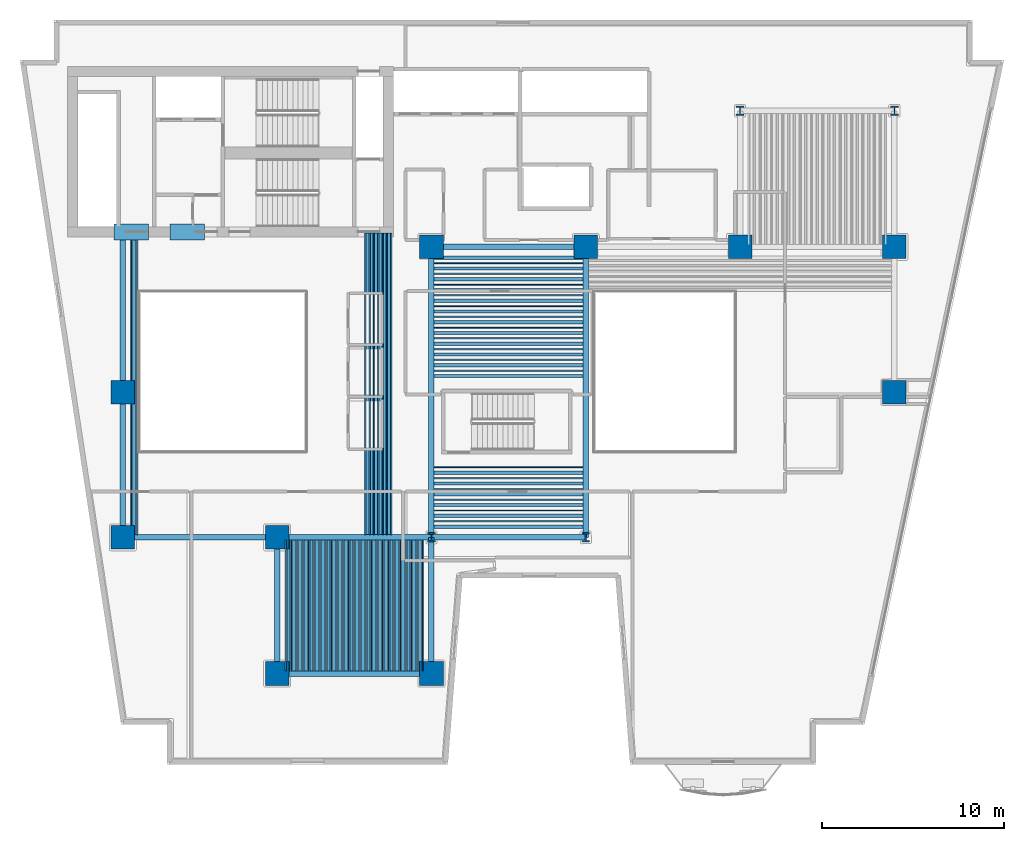
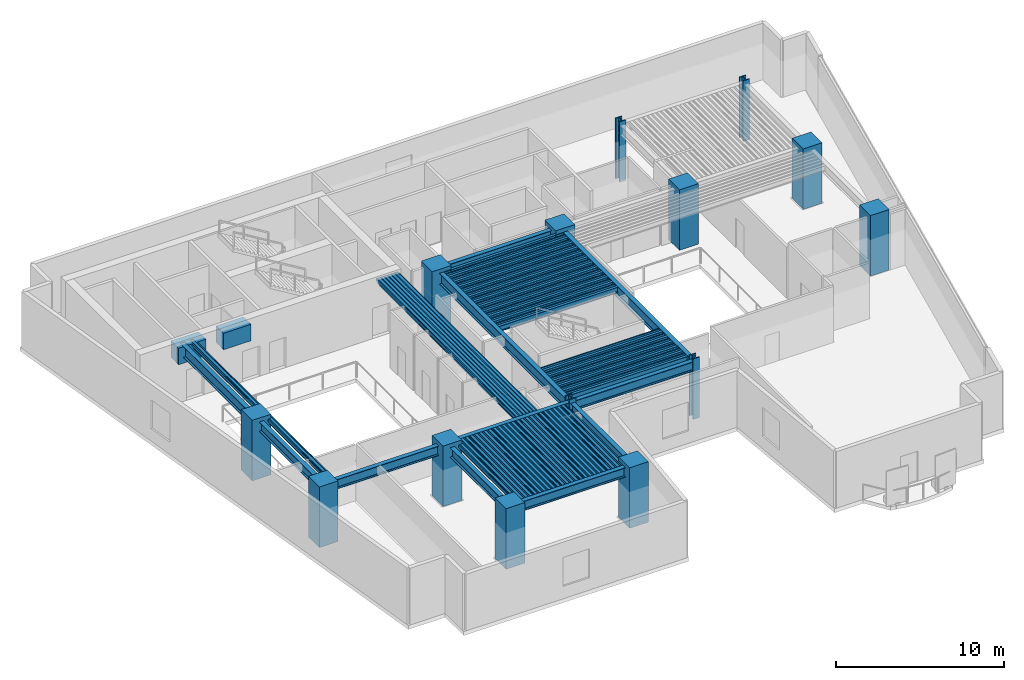
# One storey, part 1 of 12: 113 beams, 14 columns.
"""IFC4 building model written with IfcOpenShell, lengths in metres."""

from ifc_helpers import new_model, si_unit, direction, frame, origin, origin_2d, place, context, subcontext, project, spatial, rectangle, hollow_rectangle, i_section, extrude, material, material_profile, profile_set, type_object, element, save


model = new_model("IFC4")

# Units and contexts
model_context = context("Model", 3, precision=1e-05, world=origin(), true_north=direction((0.0, 1.0)))
body_context = subcontext(model_context, "Body", "Model", "MODEL_VIEW")
ifc_project = project(units=[si_unit("LENGTHUNIT", "METRE"), si_unit("AREAUNIT", "SQUARE_METRE"), si_unit("VOLUMEUNIT", "CUBIC_METRE"), si_unit("PLANEANGLEUNIT", "RADIAN"), si_unit("MASSUNIT", "GRAM", prefix="KILO")], contexts=[model_context])

# Site, building, storey
site_placement = place(None, origin())
site = spatial("IfcSite", under=ifc_project, at=site_placement, CompositionType="ELEMENT")
building_placement = place(site_placement, origin())
building = spatial("IfcBuilding", under=site, at=building_placement, Name="Caeloran Harvest Quay", CompositionType="ELEMENT")
storey_placement = place(building_placement, frame((0.0, 0.0, 93.0)))
storey = spatial("IfcBuildingStorey", under=building, at=storey_placement, Name="L21", CompositionType="ELEMENT", Elevation=93.0)

# Columns
ifc_material_1 = material(Name="Concrete C80/95", Category="concrete")
ifc_material_profile_1 = material_profile(ifc_material_1, rectangle(XDim=1.300048828125, YDim=1.300048828125, at=origin_2d()), Name="RC 1300x1300")
ifc_profile_set_1 = profile_set([ifc_material_profile_1], Name="Concrete C80/95")
column_type_1 = type_object("IfcColumnType", Name="COL-MC-2-RC_1300x1300", PredefinedType="COLUMN", material=ifc_profile_set_1)
for number, where, z_axis, x_axis, name in (
    (1, (8.5, 15.0, 0.0), (0.0, 0.0, 1.0), (1.0, 0.0, 0.0), "L21 Structural Column (8.5, 15.0)"),
    (2, (8.5, 23.0, 0.0), (0.0, 0.0, 1.0), (1.0, 0.0, 0.0), "L21 Structural Column (8.5, 23.0)"),
    (3, (17.0, 7.5, 0.0), (0.0, 0.0, 1.0), (1.0, 0.0, 0.0), "L21 Structural Column (17.0, 7.5)"),
    (4, (17.0, 15.0, 0.0), (0.0, 0.0, 1.0), (1.0, 0.0, 0.0), "L21 Structural Column (17.0, 15.0)"),
    (5, (25.5, 7.5, 0.0), (0.0, 0.0, 1.0), (1.0, 0.0, 0.0), "L21 Structural Column (25.5, 7.5)"),
    (6, (25.5, 31.0, 0.0), (0.0, 0.0, 1.0), (1.0, 0.0, 0.0), "L21 Structural Column (25.5, 31.0)"),
    (7, (34.0, 31.0, 0.0), (0.0, 0.0, 1.0), (1.0, 0.0, 0.0), "L21 Structural Column (34.0, 31.0)"),
    (8, (42.5, 31.0, 0.0), (0.0, 0.0, 1.0), (1.0, 0.0, 0.0), "L21 Structural Column (42.5, 31.0)"),
    (9, (51.0, 23.0, 0.0), (0.0, 0.0, 1.0), (1.0, 0.0, 0.0), "L21 Structural Column (51.0, 23.0)"),
    (10, (51.0, 31.0, 0.0), (0.0, 0.0, 1.0), (1.0, 0.0, 0.0), "L21 Structural Column (51.0, 31.0)"),
):
    element("IfcColumn", number, at=place(storey_placement, frame(where, z_axis=z_axis, x_axis=x_axis)), inside=storey, type_object=column_type_1, Name=name, PredefinedType="COLUMN", context=body_context, shape_type="SweptSolid", body=[
        extrude(rectangle(XDim=1.300048828125, YDim=1.300048828125, at=origin_2d()), origin(), (0.0, 0.0, 1.0), 4.39990234375),
    ])
ifc_material_2 = material(Name="Steel HISTAR 460", Category="steel")
ifc_material_profile_2 = material_profile(ifc_material_2, i_section(OverallWidth=0.43701171875, OverallDepth=0.513916015625, WebThickness=0.060546875, FlangeThickness=0.076904296875, FilletRadius=0.014892578125, at=origin_2d()), Name="HD 400x818")
ifc_profile_set_2 = profile_set([ifc_material_profile_2], Name="Steel HISTAR 460")
column_type_2 = type_object("IfcColumnType", Name="COL-SC-2-HD_400x818", PredefinedType="COLUMN", material=ifc_profile_set_2)
for number, where, z_axis, x_axis, name in (
    (11, (25.5, 15.0, 0.0), (0.0, 0.0, 1.0), (1.0, 0.0, 0.0), "L21 Structural Column (25.5, 15.0)"),
    (12, (34.0, 15.0, 0.0), (0.0, 0.0, 1.0), (1.0, 0.0, 0.0), "L21 Structural Column (34.0, 15.0)"),
    (13, (42.5, 38.5, 0.0), (0.0, 0.0, 1.0), (1.0, 0.0, 0.0), "L21 Structural Column (42.5, 38.5)"),
    (14, (51.0, 38.5, 0.0), (0.0, 0.0, 1.0), (1.0, 0.0, 0.0), "L21 Structural Column (51.0, 38.5)"),
):
    element("IfcColumn", number, at=place(storey_placement, frame(where, z_axis=z_axis, x_axis=x_axis)), inside=storey, type_object=column_type_2, Name=name, PredefinedType="COLUMN", context=body_context, shape_type="SweptSolid", body=[
        extrude(i_section(OverallWidth=0.43701171875, OverallDepth=0.513916015625, WebThickness=0.060546875, FlangeThickness=0.076904296875, FilletRadius=0.014892578125, at=origin_2d()), origin(), (0.0, 0.0, 1.0), 4.39990234375),
    ])

# Beams
ifc_material_profile_3 = material_profile(ifc_material_1, rectangle(XDim=0.89990234375, YDim=1.199951171875, at=origin_2d()), Name="RC 900x1200")
ifc_profile_set_3 = profile_set([ifc_material_profile_3], Name="Concrete C80/95")
beam_type_1 = type_object("IfcBeamType", Name="BM-CB-1-RC_900x1200", PredefinedType="LINTEL", material=ifc_profile_set_3)
for number, where, z_axis, x_axis, name in (
    (15, (8.0, 31.824951171875, 3.514892578125), (1.0, 0.0, 0.0), (0.0, 1.0, 0.0), "L21 Core Coupling Beam 1"),
    (16, (11.10009765625, 31.824951171875, 3.514892578125), (1.0, 0.0, 0.0), (0.0, 1.0, 0.0), "L21 Core Coupling Beam 2"),
):
    element("IfcBeam", number, at=place(storey_placement, frame(where, z_axis=z_axis, x_axis=x_axis)), inside=storey, type_object=beam_type_1, Name=name, PredefinedType="LINTEL", context=body_context, shape_type="SweptSolid", body=[
        extrude(rectangle(XDim=0.89990234375, YDim=1.199951171875, at=origin_2d()), origin(), (0.0, 0.0, 1.0), 1.89990234375),
    ])
ifc_material_3 = material(Name="Steel S355J2", Category="steel")
ifc_material_profile_4 = material_profile(ifc_material_3, i_section(OverallWidth=0.300048828125, OverallDepth=0.800048828125, WebThickness=0.017578125, FlangeThickness=0.032958984375, FilletRadius=0.030029296875, at=origin_2d()), Name="HE 800 B")
ifc_profile_set_4 = profile_set([ifc_material_profile_4], Name="Steel S355J2")
beam_type_2 = type_object("IfcBeamType", Name="BM-PG-1-HE_800_B", PredefinedType="BEAM", material=ifc_profile_set_4)
beam_1_placement = place(storey_placement, frame((8.5, 23.0, 3.715087890625), z_axis=(0.0, 1.0, 0.0), x_axis=(-1.0, 0.0, 0.0)))
element("IfcBeam", 17, at=beam_1_placement, inside=storey, type_object=beam_type_2, Name="L21 Core South Tie Girder X=8.5", PredefinedType="BEAM", context=body_context, shape_type="SweptSolid", body=[
    extrude(i_section(OverallWidth=0.300048828125, OverallDepth=0.800048828125, WebThickness=0.017578125, FlangeThickness=0.032958984375, FilletRadius=0.030029296875, at=origin_2d()), origin(), (0.0, 0.0, 1.0), 8.77490234375),
])
for number, where, z_axis, x_axis, name in (
    (18, (25.5, 15.0, 3.715087890625), (0.0, 1.0, 0.0), (-1.0, 0.0, 0.0), "L21 Primary North-South Girder X=25.5"),
    (19, (34.0, 15.0, 3.715087890625), (0.0, 1.0, 0.0), (-1.0, 0.0, 0.0), "L21 Primary North-South Girder X=34.0"),
):
    element("IfcBeam", number, at=place(storey_placement, frame(where, z_axis=z_axis, x_axis=x_axis)), inside=storey, type_object=beam_type_2, Name=name, PredefinedType="BEAM", context=body_context, shape_type="SweptSolid", body=[
        extrude(i_section(OverallWidth=0.300048828125, OverallDepth=0.800048828125, WebThickness=0.017578125, FlangeThickness=0.032958984375, FilletRadius=0.030029296875, at=origin_2d()), origin(), (0.0, 0.0, 1.0), 16.0),
    ])
ifc_material_profile_5 = material_profile(ifc_material_3, i_section(OverallWidth=0.300048828125, OverallDepth=0.699951171875, WebThickness=0.01708984375, FlangeThickness=0.031982421875, FilletRadius=0.027099609375, at=origin_2d()), Name="HE 700 B")
ifc_profile_set_5 = profile_set([ifc_material_profile_5], Name="Steel S355J2")
beam_type_3 = type_object("IfcBeamType", Name="BM-PG-2-HE_700_B", PredefinedType="BEAM", material=ifc_profile_set_5)
for number, where, z_axis, x_axis, name in (
    (20, (17.0, 7.5, 3.764892578125), (1.0, 0.0, 0.0), (0.0, 1.0, 0.0), "L21 Primary East-West Girder Y=7.5"),
    (21, (8.5, 15.0, 3.764892578125), (1.0, 0.0, 0.0), (0.0, 1.0, 0.0), "L21 Primary East-West Girder Y=15.0"),
    (22, (17.0, 15.0, 3.764892578125), (1.0, 0.0, 0.0), (0.0, 1.0, 0.0), "L21 Primary East-West Girder Y=15.0"),
    (23, (25.5, 15.0, 3.764892578125), (1.0, 0.0, 0.0), (0.0, 1.0, 0.0), "L21 Primary East-West Girder Y=15.0"),
    (24, (25.5, 31.0, 3.764892578125), (1.0, 0.0, 0.0), (0.0, 1.0, 0.0), "L21 Primary East-West Girder Y=31.0"),
):
    element("IfcBeam", number, at=place(storey_placement, frame(where, z_axis=z_axis, x_axis=x_axis)), inside=storey, type_object=beam_type_3, Name=name, PredefinedType="BEAM", context=body_context, shape_type="SweptSolid", body=[
        extrude(i_section(OverallWidth=0.300048828125, OverallDepth=0.699951171875, WebThickness=0.01708984375, FlangeThickness=0.031982421875, FilletRadius=0.027099609375, at=origin_2d()), origin(), (0.0, 0.0, 1.0), 8.5),
    ])
beam_2_placement = place(storey_placement, frame((8.5, 15.0, 3.764892578125), z_axis=(0.0, 1.0, 0.0), x_axis=(-1.0, 0.0, 0.0)))
element("IfcBeam", 25, at=beam_2_placement, inside=storey, type_object=beam_type_3, Name="L21 Primary North-South Girder X=8.5", PredefinedType="BEAM", context=body_context, shape_type="SweptSolid", body=[
    extrude(i_section(OverallWidth=0.300048828125, OverallDepth=0.699951171875, WebThickness=0.01708984375, FlangeThickness=0.031982421875, FilletRadius=0.027099609375, at=origin_2d()), origin(), (0.0, 0.0, 1.0), 8.0),
])
for number, where, z_axis, x_axis, name in (
    (26, (17.0, 7.5, 3.764892578125), (0.0, 1.0, 0.0), (-1.0, 0.0, 0.0), "L21 Primary North-South Girder X=17.0"),
    (27, (25.5, 7.5, 3.764892578125), (0.0, 1.0, 0.0), (-1.0, 0.0, 0.0), "L21 Primary North-South Girder X=25.5"),
):
    element("IfcBeam", number, at=place(storey_placement, frame(where, z_axis=z_axis, x_axis=x_axis)), inside=storey, type_object=beam_type_3, Name=name, PredefinedType="BEAM", context=body_context, shape_type="SweptSolid", body=[
        extrude(i_section(OverallWidth=0.300048828125, OverallDepth=0.699951171875, WebThickness=0.01708984375, FlangeThickness=0.031982421875, FilletRadius=0.027099609375, at=origin_2d()), origin(), (0.0, 0.0, 1.0), 7.5),
    ])
ifc_material_profile_6 = material_profile(ifc_material_3, i_section(OverallWidth=0.179931640625, OverallDepth=0.39990234375, WebThickness=0.008544921875, FlangeThickness=0.013427734375, FilletRadius=0.02099609375, at=origin_2d()), Name="IPE 400")
ifc_profile_set_6 = profile_set([ifc_material_profile_6], Name="Steel S355J2")
beam_type_4 = type_object("IfcBeamType", Name="BM-SB-4-IPE_400", PredefinedType="JOIST", material=ifc_profile_set_6)
for number, where, z_axis, x_axis, name in (
    (28, (17.629638671875, 7.64501953125, 3.9150390625), (0.0, 1.0, 0.0), (-1.0, 0.0, 0.0), "L21 Secondary Composite Joist"),
    (29, (17.9443359375, 7.64501953125, 3.9150390625), (0.0, 1.0, 0.0), (-1.0, 0.0, 0.0), "L21 Secondary Composite Joist"),
    (30, (18.25927734375, 7.64501953125, 3.9150390625), (0.0, 1.0, 0.0), (-1.0, 0.0, 0.0), "L21 Secondary Composite Joist"),
    (31, (18.57421875, 7.64501953125, 3.9150390625), (0.0, 1.0, 0.0), (-1.0, 0.0, 0.0), "L21 Secondary Composite Joist"),
    (32, (18.888916015625, 7.64501953125, 3.9150390625), (0.0, 1.0, 0.0), (-1.0, 0.0, 0.0), "L21 Secondary Composite Joist"),
    (33, (19.20361328125, 7.64501953125, 3.9150390625), (0.0, 1.0, 0.0), (-1.0, 0.0, 0.0), "L21 Secondary Composite Joist"),
    (34, (19.5185546875, 7.64501953125, 3.9150390625), (0.0, 1.0, 0.0), (-1.0, 0.0, 0.0), "L21 Secondary Composite Joist"),
    (35, (19.833251953125, 7.64501953125, 3.9150390625), (0.0, 1.0, 0.0), (-1.0, 0.0, 0.0), "L21 Secondary Composite Joist"),
    (36, (20.148193359375, 7.64501953125, 3.9150390625), (0.0, 1.0, 0.0), (-1.0, 0.0, 0.0), "L21 Secondary Composite Joist"),
    (37, (20.462890625, 7.64501953125, 3.9150390625), (0.0, 1.0, 0.0), (-1.0, 0.0, 0.0), "L21 Secondary Composite Joist"),
    (38, (20.77783203125, 7.64501953125, 3.9150390625), (0.0, 1.0, 0.0), (-1.0, 0.0, 0.0), "L21 Secondary Composite Joist"),
    (39, (21.092529296875, 7.64501953125, 3.9150390625), (0.0, 1.0, 0.0), (-1.0, 0.0, 0.0), "L21 Secondary Composite Joist"),
    (40, (21.407470703125, 7.64501953125, 3.9150390625), (0.0, 1.0, 0.0), (-1.0, 0.0, 0.0), "L21 Secondary Composite Joist"),
    (41, (21.72216796875, 7.64501953125, 3.9150390625), (0.0, 1.0, 0.0), (-1.0, 0.0, 0.0), "L21 Secondary Composite Joist"),
    (42, (22.037109375, 7.64501953125, 3.9150390625), (0.0, 1.0, 0.0), (-1.0, 0.0, 0.0), "L21 Secondary Composite Joist"),
    (43, (22.351806640625, 7.64501953125, 3.9150390625), (0.0, 1.0, 0.0), (-1.0, 0.0, 0.0), "L21 Secondary Composite Joist"),
    (44, (22.666748046875, 7.64501953125, 3.9150390625), (0.0, 1.0, 0.0), (-1.0, 0.0, 0.0), "L21 Secondary Composite Joist"),
    (45, (22.9814453125, 7.64501953125, 3.9150390625), (0.0, 1.0, 0.0), (-1.0, 0.0, 0.0), "L21 Secondary Composite Joist"),
    (46, (23.29638671875, 7.64501953125, 3.9150390625), (0.0, 1.0, 0.0), (-1.0, 0.0, 0.0), "L21 Secondary Composite Joist"),
    (47, (23.611083984375, 7.64501953125, 3.9150390625), (0.0, 1.0, 0.0), (-1.0, 0.0, 0.0), "L21 Secondary Composite Joist"),
    (48, (23.92578125, 7.64501953125, 3.9150390625), (0.0, 1.0, 0.0), (-1.0, 0.0, 0.0), "L21 Secondary Composite Joist"),
    (49, (24.24072265625, 7.64501953125, 3.9150390625), (0.0, 1.0, 0.0), (-1.0, 0.0, 0.0), "L21 Secondary Composite Joist"),
    (50, (24.5556640625, 7.64501953125, 3.9150390625), (0.0, 1.0, 0.0), (-1.0, 0.0, 0.0), "L21 Secondary Composite Joist"),
    (51, (24.870361328125, 7.64501953125, 3.9150390625), (0.0, 1.0, 0.0), (-1.0, 0.0, 0.0), "L21 Secondary Composite Joist"),
):
    element("IfcBeam", number, at=place(storey_placement, frame(where, z_axis=z_axis, x_axis=x_axis)), inside=storey, type_object=beam_type_4, Name=name, PredefinedType="JOIST", context=body_context, shape_type="SweptSolid", body=[
        extrude(i_section(OverallWidth=0.179931640625, OverallDepth=0.39990234375, WebThickness=0.008544921875, FlangeThickness=0.013427734375, FilletRadius=0.02099609375, at=origin_2d()), origin(), (0.0, 0.0, 1.0), 7.2099609375),
    ])
for number, where, z_axis, x_axis, name in (
    (52, (9.129638671875, 15.14501953125, 3.9150390625), (0.0, 1.0, 0.0), (-1.0, 0.0, 0.0), "L21 Secondary Composite Joist"),
    (53, (21.977783203125, 15.14501953125, 3.9150390625), (0.0, 1.0, 0.0), (-1.0, 0.0, 0.0), "L21 Secondary Composite Joist"),
    (54, (22.21484375, 15.14501953125, 3.9150390625), (0.0, 1.0, 0.0), (-1.0, 0.0, 0.0), "L21 Secondary Composite Joist"),
    (55, (22.451904296875, 15.14501953125, 3.9150390625), (0.0, 1.0, 0.0), (-1.0, 0.0, 0.0), "L21 Secondary Composite Joist"),
    (56, (22.68896484375, 15.14501953125, 3.9150390625), (0.0, 1.0, 0.0), (-1.0, 0.0, 0.0), "L21 Secondary Composite Joist"),
    (57, (22.92578125, 15.14501953125, 3.9150390625), (0.0, 1.0, 0.0), (-1.0, 0.0, 0.0), "L21 Secondary Composite Joist"),
    (58, (23.1630859375, 15.14501953125, 3.9150390625), (0.0, 1.0, 0.0), (-1.0, 0.0, 0.0), "L21 Secondary Composite Joist"),
):
    element("IfcBeam", number, at=place(storey_placement, frame(where, z_axis=z_axis, x_axis=x_axis)), inside=storey, type_object=beam_type_4, Name=name, PredefinedType="JOIST", context=body_context, shape_type="SweptSolid", body=[
        extrude(i_section(OverallWidth=0.179931640625, OverallDepth=0.39990234375, WebThickness=0.008544921875, FlangeThickness=0.013427734375, FilletRadius=0.02099609375, at=origin_2d()), origin(), (0.0, 0.0, 1.0), 16.6298828125),
    ])
for number, where, z_axis, x_axis, name in (
    (59, (25.64501953125, 15.592529296875, 3.9150390625), (1.0, 0.0, 0.0), (0.0, 1.0, 0.0), "L21 Secondary East-West Composite Joist"),
    (60, (25.64501953125, 16.185302734375, 3.9150390625), (1.0, 0.0, 0.0), (0.0, 1.0, 0.0), "L21 Secondary East-West Composite Joist"),
    (61, (25.64501953125, 16.77783203125, 3.9150390625), (1.0, 0.0, 0.0), (0.0, 1.0, 0.0), "L21 Secondary East-West Composite Joist"),
    (62, (25.64501953125, 17.370361328125, 3.9150390625), (1.0, 0.0, 0.0), (0.0, 1.0, 0.0), "L21 Secondary East-West Composite Joist"),
    (63, (25.64501953125, 17.962890625, 3.9150390625), (1.0, 0.0, 0.0), (0.0, 1.0, 0.0), "L21 Secondary East-West Composite Joist"),
    (64, (25.64501953125, 18.5556640625, 3.9150390625), (1.0, 0.0, 0.0), (0.0, 1.0, 0.0), "L21 Secondary East-West Composite Joist"),
    (65, (25.64501953125, 23.888916015625, 3.9150390625), (1.0, 0.0, 0.0), (0.0, 1.0, 0.0), "L21 Secondary East-West Composite Joist"),
    (66, (25.64501953125, 24.4814453125, 3.9150390625), (1.0, 0.0, 0.0), (0.0, 1.0, 0.0), "L21 Secondary East-West Composite Joist"),
    (67, (25.64501953125, 25.07421875, 3.9150390625), (1.0, 0.0, 0.0), (0.0, 1.0, 0.0), "L21 Secondary East-West Composite Joist"),
    (68, (25.64501953125, 25.666748046875, 3.9150390625), (1.0, 0.0, 0.0), (0.0, 1.0, 0.0), "L21 Secondary East-West Composite Joist"),
    (69, (25.64501953125, 26.25927734375, 3.9150390625), (1.0, 0.0, 0.0), (0.0, 1.0, 0.0), "L21 Secondary East-West Composite Joist"),
    (70, (25.64501953125, 26.851806640625, 3.9150390625), (1.0, 0.0, 0.0), (0.0, 1.0, 0.0), "L21 Secondary East-West Composite Joist"),
    (71, (25.64501953125, 27.4443359375, 3.9150390625), (1.0, 0.0, 0.0), (0.0, 1.0, 0.0), "L21 Secondary East-West Composite Joist"),
    (72, (25.64501953125, 28.037109375, 3.9150390625), (1.0, 0.0, 0.0), (0.0, 1.0, 0.0), "L21 Secondary East-West Composite Joist"),
    (73, (25.64501953125, 28.629638671875, 3.9150390625), (1.0, 0.0, 0.0), (0.0, 1.0, 0.0), "L21 Secondary East-West Composite Joist"),
    (74, (25.64501953125, 29.22216796875, 3.9150390625), (1.0, 0.0, 0.0), (0.0, 1.0, 0.0), "L21 Secondary East-West Composite Joist"),
    (75, (25.64501953125, 29.814697265625, 3.9150390625), (1.0, 0.0, 0.0), (0.0, 1.0, 0.0), "L21 Secondary East-West Composite Joist"),
    (76, (25.64501953125, 30.407470703125, 3.9150390625), (1.0, 0.0, 0.0), (0.0, 1.0, 0.0), "L21 Secondary East-West Composite Joist"),
):
    element("IfcBeam", number, at=place(storey_placement, frame(where, z_axis=z_axis, x_axis=x_axis)), inside=storey, type_object=beam_type_4, Name=name, PredefinedType="JOIST", context=body_context, shape_type="SweptSolid", body=[
        extrude(i_section(OverallWidth=0.179931640625, OverallDepth=0.39990234375, WebThickness=0.008544921875, FlangeThickness=0.013427734375, FilletRadius=0.02099609375, at=origin_2d()), origin(), (0.0, 0.0, 1.0), 8.2099609375),
    ])
ifc_material_profile_7 = material_profile(ifc_material_3, hollow_rectangle(XDim=0.080078125, YDim=0.199951171875, WallThickness=0.006103515625, InnerFilletRadius=0.006103515625, OuterFilletRadius=0.009033203125, at=origin_2d()), Name="RHS 200x80x6")
ifc_profile_set_7 = profile_set([ifc_material_profile_7], Name="Steel S355J2")
beam_type_5 = type_object("IfcBeamType", Name="BM-SB-7-RHS_200x80x6", PredefinedType="JOIST", material=ifc_profile_set_7)
for number, where, z_axis, x_axis, name in (
    (77, (17.47216796875, 7.64501953125, 4.014892578125), (0.0, 1.0, 0.0), (-1.0, 0.0, 0.0), "L21 Secondary Composite Joist"),
    (78, (17.787109375, 7.64501953125, 4.014892578125), (0.0, 1.0, 0.0), (-1.0, 0.0, 0.0), "L21 Secondary Composite Joist"),
    (79, (18.101806640625, 7.64501953125, 4.014892578125), (0.0, 1.0, 0.0), (-1.0, 0.0, 0.0), "L21 Secondary Composite Joist"),
    (80, (18.416748046875, 7.64501953125, 4.014892578125), (0.0, 1.0, 0.0), (-1.0, 0.0, 0.0), "L21 Secondary Composite Joist"),
    (81, (18.7314453125, 7.64501953125, 4.014892578125), (0.0, 1.0, 0.0), (-1.0, 0.0, 0.0), "L21 Secondary Composite Joist"),
    (82, (19.04638671875, 7.64501953125, 4.014892578125), (0.0, 1.0, 0.0), (-1.0, 0.0, 0.0), "L21 Secondary Composite Joist"),
    (83, (19.361083984375, 7.64501953125, 4.014892578125), (0.0, 1.0, 0.0), (-1.0, 0.0, 0.0), "L21 Secondary Composite Joist"),
    (84, (19.67578125, 7.64501953125, 4.014892578125), (0.0, 1.0, 0.0), (-1.0, 0.0, 0.0), "L21 Secondary Composite Joist"),
    (85, (19.99072265625, 7.64501953125, 4.014892578125), (0.0, 1.0, 0.0), (-1.0, 0.0, 0.0), "L21 Secondary Composite Joist"),
    (86, (20.3056640625, 7.64501953125, 4.014892578125), (0.0, 1.0, 0.0), (-1.0, 0.0, 0.0), "L21 Secondary Composite Joist"),
    (87, (20.620361328125, 7.64501953125, 4.014892578125), (0.0, 1.0, 0.0), (-1.0, 0.0, 0.0), "L21 Secondary Composite Joist"),
    (88, (20.935302734375, 7.64501953125, 4.014892578125), (0.0, 1.0, 0.0), (-1.0, 0.0, 0.0), "L21 Secondary Composite Joist"),
    (89, (21.25, 7.64501953125, 4.014892578125), (0.0, 1.0, 0.0), (-1.0, 0.0, 0.0), "L21 Secondary Composite Joist"),
    (90, (21.564697265625, 7.64501953125, 4.014892578125), (0.0, 1.0, 0.0), (-1.0, 0.0, 0.0), "L21 Secondary Composite Joist"),
    (91, (21.879638671875, 7.64501953125, 4.014892578125), (0.0, 1.0, 0.0), (-1.0, 0.0, 0.0), "L21 Secondary Composite Joist"),
    (92, (22.1943359375, 7.64501953125, 4.014892578125), (0.0, 1.0, 0.0), (-1.0, 0.0, 0.0), "L21 Secondary Composite Joist"),
    (93, (22.50927734375, 7.64501953125, 4.014892578125), (0.0, 1.0, 0.0), (-1.0, 0.0, 0.0), "L21 Secondary Composite Joist"),
    (94, (22.82421875, 7.64501953125, 4.014892578125), (0.0, 1.0, 0.0), (-1.0, 0.0, 0.0), "L21 Secondary Composite Joist"),
    (95, (23.138916015625, 7.64501953125, 4.014892578125), (0.0, 1.0, 0.0), (-1.0, 0.0, 0.0), "L21 Secondary Composite Joist"),
    (96, (23.45361328125, 7.64501953125, 4.014892578125), (0.0, 1.0, 0.0), (-1.0, 0.0, 0.0), "L21 Secondary Composite Joist"),
    (97, (23.7685546875, 7.64501953125, 4.014892578125), (0.0, 1.0, 0.0), (-1.0, 0.0, 0.0), "L21 Secondary Composite Joist"),
    (98, (24.083251953125, 7.64501953125, 4.014892578125), (0.0, 1.0, 0.0), (-1.0, 0.0, 0.0), "L21 Secondary Composite Joist"),
    (99, (24.398193359375, 7.64501953125, 4.014892578125), (0.0, 1.0, 0.0), (-1.0, 0.0, 0.0), "L21 Secondary Composite Joist"),
    (100, (24.712890625, 7.64501953125, 4.014892578125), (0.0, 1.0, 0.0), (-1.0, 0.0, 0.0), "L21 Secondary Composite Joist"),
    (101, (25.02783203125, 7.64501953125, 4.014892578125), (0.0, 1.0, 0.0), (-1.0, 0.0, 0.0), "L21 Secondary Composite Joist"),
):
    element("IfcBeam", number, at=place(storey_placement, frame(where, z_axis=z_axis, x_axis=x_axis)), inside=storey, type_object=beam_type_5, Name=name, PredefinedType="JOIST", context=body_context, shape_type="SweptSolid", body=[
        extrude(hollow_rectangle(XDim=0.080078125, YDim=0.199951171875, WallThickness=0.006103515625, InnerFilletRadius=0.006103515625, OuterFilletRadius=0.009033203125, at=origin_2d()), origin(), (0.0, 0.0, 1.0), 7.2099609375),
    ])
for number, where, z_axis, x_axis, name in (
    (102, (8.97216796875, 15.14501953125, 4.014892578125), (0.0, 1.0, 0.0), (-1.0, 0.0, 0.0), "L21 Secondary Composite Joist"),
    (103, (9.287109375, 15.14501953125, 4.014892578125), (0.0, 1.0, 0.0), (-1.0, 0.0, 0.0), "L21 Secondary Composite Joist"),
    (104, (21.859375, 15.14501953125, 4.014892578125), (0.0, 1.0, 0.0), (-1.0, 0.0, 0.0), "L21 Secondary Composite Joist"),
    (105, (22.09619140625, 15.14501953125, 4.014892578125), (0.0, 1.0, 0.0), (-1.0, 0.0, 0.0), "L21 Secondary Composite Joist"),
    (106, (22.333251953125, 15.14501953125, 4.014892578125), (0.0, 1.0, 0.0), (-1.0, 0.0, 0.0), "L21 Secondary Composite Joist"),
    (107, (22.5703125, 15.14501953125, 4.014892578125), (0.0, 1.0, 0.0), (-1.0, 0.0, 0.0), "L21 Secondary Composite Joist"),
    (108, (22.807373046875, 15.14501953125, 4.014892578125), (0.0, 1.0, 0.0), (-1.0, 0.0, 0.0), "L21 Secondary Composite Joist"),
    (109, (23.04443359375, 15.14501953125, 4.014892578125), (0.0, 1.0, 0.0), (-1.0, 0.0, 0.0), "L21 Secondary Composite Joist"),
    (110, (23.281494140625, 15.14501953125, 4.014892578125), (0.0, 1.0, 0.0), (-1.0, 0.0, 0.0), "L21 Secondary Composite Joist"),
):
    element("IfcBeam", number, at=place(storey_placement, frame(where, z_axis=z_axis, x_axis=x_axis)), inside=storey, type_object=beam_type_5, Name=name, PredefinedType="JOIST", context=body_context, shape_type="SweptSolid", body=[
        extrude(hollow_rectangle(XDim=0.080078125, YDim=0.199951171875, WallThickness=0.006103515625, InnerFilletRadius=0.006103515625, OuterFilletRadius=0.009033203125, at=origin_2d()), origin(), (0.0, 0.0, 1.0), 16.6298828125),
    ])
for number, where, z_axis, x_axis, name in (
    (111, (25.64501953125, 15.888916015625, 4.014892578125), (1.0, 0.0, 0.0), (0.0, 1.0, 0.0), "L21 Secondary East-West Composite Joist"),
    (112, (25.64501953125, 16.4814453125, 4.014892578125), (1.0, 0.0, 0.0), (0.0, 1.0, 0.0), "L21 Secondary East-West Composite Joist"),
    (113, (25.64501953125, 17.07421875, 4.014892578125), (1.0, 0.0, 0.0), (0.0, 1.0, 0.0), "L21 Secondary East-West Composite Joist"),
    (114, (25.64501953125, 17.666748046875, 4.014892578125), (1.0, 0.0, 0.0), (0.0, 1.0, 0.0), "L21 Secondary East-West Composite Joist"),
    (115, (25.64501953125, 18.25927734375, 4.014892578125), (1.0, 0.0, 0.0), (0.0, 1.0, 0.0), "L21 Secondary East-West Composite Joist"),
    (116, (25.64501953125, 18.851806640625, 4.014892578125), (1.0, 0.0, 0.0), (0.0, 1.0, 0.0), "L21 Secondary East-West Composite Joist"),
    (117, (25.64501953125, 24.185302734375, 4.014892578125), (1.0, 0.0, 0.0), (0.0, 1.0, 0.0), "L21 Secondary East-West Composite Joist"),
    (118, (25.64501953125, 24.77783203125, 4.014892578125), (1.0, 0.0, 0.0), (0.0, 1.0, 0.0), "L21 Secondary East-West Composite Joist"),
    (119, (25.64501953125, 25.370361328125, 4.014892578125), (1.0, 0.0, 0.0), (0.0, 1.0, 0.0), "L21 Secondary East-West Composite Joist"),
    (120, (25.64501953125, 25.962890625, 4.014892578125), (1.0, 0.0, 0.0), (0.0, 1.0, 0.0), "L21 Secondary East-West Composite Joist"),
    (121, (25.64501953125, 26.5556640625, 4.014892578125), (1.0, 0.0, 0.0), (0.0, 1.0, 0.0), "L21 Secondary East-West Composite Joist"),
    (122, (25.64501953125, 27.148193359375, 4.014892578125), (1.0, 0.0, 0.0), (0.0, 1.0, 0.0), "L21 Secondary East-West Composite Joist"),
    (123, (25.64501953125, 27.74072265625, 4.014892578125), (1.0, 0.0, 0.0), (0.0, 1.0, 0.0), "L21 Secondary East-West Composite Joist"),
    (124, (25.64501953125, 28.333251953125, 4.014892578125), (1.0, 0.0, 0.0), (0.0, 1.0, 0.0), "L21 Secondary East-West Composite Joist"),
    (125, (25.64501953125, 28.92578125, 4.014892578125), (1.0, 0.0, 0.0), (0.0, 1.0, 0.0), "L21 Secondary East-West Composite Joist"),
    (126, (25.64501953125, 29.5185546875, 4.014892578125), (1.0, 0.0, 0.0), (0.0, 1.0, 0.0), "L21 Secondary East-West Composite Joist"),
    (127, (25.64501953125, 30.111083984375, 4.014892578125), (1.0, 0.0, 0.0), (0.0, 1.0, 0.0), "L21 Secondary East-West Composite Joist"),
):
    element("IfcBeam", number, at=place(storey_placement, frame(where, z_axis=z_axis, x_axis=x_axis)), inside=storey, type_object=beam_type_5, Name=name, PredefinedType="JOIST", context=body_context, shape_type="SweptSolid", body=[
        extrude(hollow_rectangle(XDim=0.080078125, YDim=0.199951171875, WallThickness=0.006103515625, InnerFilletRadius=0.006103515625, OuterFilletRadius=0.009033203125, at=origin_2d()), origin(), (0.0, 0.0, 1.0), 8.2099609375),
    ])

save(model, "model.ifc")
